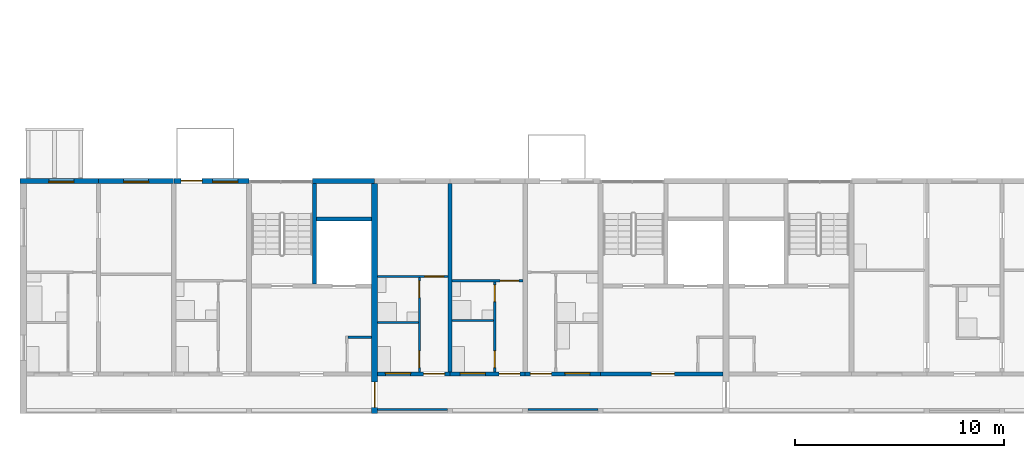
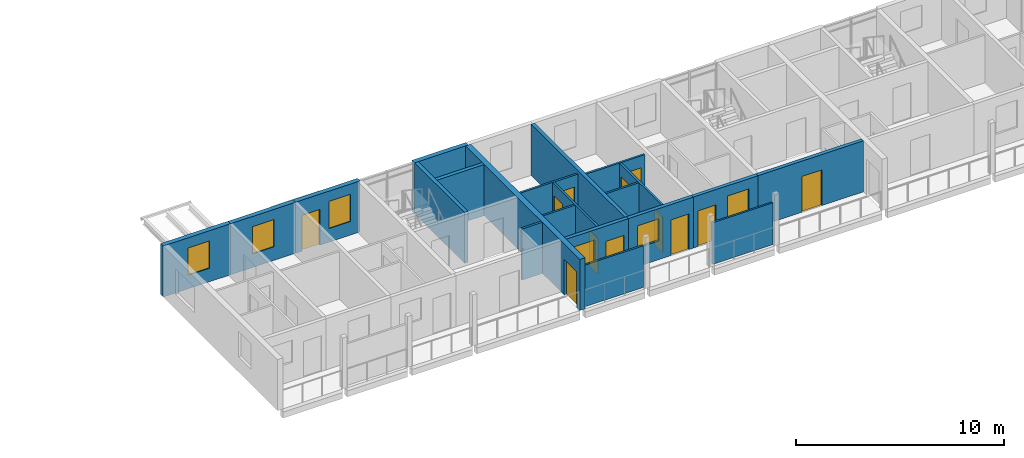
# One storey, part 30 of 94: 21 walls, 12 doors, 6 windows, 18 openings.
"""IFC4 building model written with IfcOpenShell, lengths in metres."""

from ifc_helpers import new_model, si_unit, direction, frame, frame_2d, origin, place, context, subcontext, project, spatial, rectangle, extrude, material, layer, layer_set, type_object, element, fill, save


model = new_model("IFC4")

# Units and contexts
model_context = context("Model", 3, precision=1e-05, world=origin(), true_north=direction((0.0, 1.0)))
body_context = subcontext(model_context, "Body", "Model", "MODEL_VIEW")
ifc_project = project(units=[si_unit("LENGTHUNIT", "METRE"), si_unit("AREAUNIT", "SQUARE_METRE"), si_unit("VOLUMEUNIT", "CUBIC_METRE"), si_unit("PLANEANGLEUNIT", "RADIAN"), si_unit("MASSUNIT", "GRAM", prefix="KILO")], contexts=[model_context])

# Site, building, storey
site_placement = place(None, origin())
site = spatial("IfcSite", under=ifc_project, at=site_placement, CompositionType="ELEMENT")
building_placement = place(site_placement, origin())
building = spatial("IfcBuilding", under=site, at=building_placement, Name="Ridgestep Commons", CompositionType="ELEMENT")
storey_placement = place(building_placement, frame((0.0, 0.0, 21.0)))
storey = spatial("IfcBuildingStorey", under=building, at=storey_placement, Name="L07", CompositionType="ELEMENT", Elevation=21.0)

# Wall, opening, door
ifc_material_1 = material(Name="Concrete C30/37", Category="concrete")
ifc_layer_1 = layer(ifc_material_1, 0.199951171875)
ifc_layer_set_1 = layer_set([ifc_layer_1], Name="Core south wall 200")
wall_type_1 = type_object("IfcWallType", Name="Core south wall 200", PredefinedType="SHEAR", material=ifc_layer_set_1)
wall_1_placement = place(storey_placement, frame((39.60009765625, 13.64990234375, 0.0), z_axis=(0.0, 0.0, 1.0), x_axis=(1.0, 0.0, 0.0)))
wall_1 = element("IfcWall", 1, at=wall_1_placement, inside=storey, type_object=wall_type_1, Name="Core south wall A2C L07", PredefinedType="SHEAR", context=body_context, shape_type="SweptSolid", body=[
    extrude(rectangle(XDim=5.849853515625, YDim=0.199951171875, at=frame_2d((2.9248046875, 0.0))), origin(), (0.0, 0.0, 1.0), 3.0),
])
opening_1_placement = place(wall_1_placement, frame((2.4375, 0.0, 0.0)))
opening_1 = element("IfcOpeningElement", 2, at=opening_1_placement, cuts=wall_1, Name="Opening A2C/07/1", PredefinedType="OPENING", context=body_context, shape_type="SweptSolid", body=[
    extrude(rectangle(XDim=1.10009765625, YDim=2.10009765625, at=frame_2d((0.550048828125, 1.050048828125))), frame((0.0, 0.10986328125, 0.0), z_axis=(0.0, -1.0, 0.0), x_axis=(1.0, 0.0, 0.0)), (0.0, 0.0, 1.0), 0.219970703125),
])
ifc_material_2 = material(Name="Steel fire door", Category="steel")
door_type_1 = type_object("IfcDoorType", Name="Lobby door 1100 x 2100 FD60", OperationType="NOTDEFINED", PredefinedType="DOOR", material=ifc_material_2)
door_1_placement = place(opening_1_placement, origin())
door_1 = element("IfcDoor", 3, at=door_1_placement, inside=storey, type_object=door_type_1, Name="Lobby door A2C/07/1", OperationType="SINGLE_SWING_LEFT", OverallHeight=2.10009765625, OverallWidth=1.10009765625, PredefinedType="DOOR", context=body_context, shape_type="SweptSolid", body=[
    extrude(rectangle(XDim=1.10009765625, YDim=2.10009765625, at=frame_2d((0.550048828125, 1.050048828125))), frame((0.0, 0.02490234375, 0.0), z_axis=(0.0, -1.0, 0.0), x_axis=(1.0, 0.0, 0.0)), (0.0, 0.0, 1.0), 0.050048828125),
])
fill(opening_1, door_1)

# Walls
ifc_material_3 = material(Name="Concrete C30/37", Category="concrete")
ifc_layer_2 = layer(ifc_material_3, 0.1201171875)
ifc_layer_set_2 = layer_set([ifc_layer_2], Name="Core wall 120")
wall_type_2 = type_object("IfcWallType", Name="Core wall 120", PredefinedType="SHEAR", material=ifc_layer_set_2)
wall_2_placement = place(storey_placement, frame((27.52001953125, 15.409912109375, 0.0), z_axis=(0.0, 0.0, 1.0), x_axis=(1.0, 0.0, 0.0)))
element("IfcWall", 4, at=wall_2_placement, inside=storey, type_object=wall_type_2, Name="Core riser n wall A1C L07", PredefinedType="SHEAR", context=body_context, shape_type="SweptSolid", body=[
    extrude(rectangle(XDim=1.1298828125, YDim=0.1201171875, at=frame_2d((0.56494140625, 0.0))), origin(), (0.0, 0.0, 1.0), 3.0),
])
ifc_material_4 = material(Name="Concrete C30/37", Category="concrete")
ifc_layer_3 = layer(ifc_material_4, 0.199951171875)
ifc_layer_set_3 = layer_set([ifc_layer_3], Name="Core wall 200")
wall_type_3 = type_object("IfcWallType", Name="Core wall 200", PredefinedType="SHEAR", material=ifc_layer_set_3)
wall_3_placement = place(storey_placement, frame((25.925048828125, 17.949951171875, 0.0), z_axis=(0.0, 0.0, 1.0), x_axis=(0.0, 1.0, 0.0)))
element("IfcWall", 5, at=wall_3_placement, inside=storey, type_object=wall_type_3, Name="Core stair wall A1C L07", PredefinedType="SHEAR", context=body_context, shape_type="SweptSolid", body=[
    extrude(rectangle(XDim=4.800048828125, YDim=0.199951171875, at=frame_2d((2.39990234375, 0.0))), origin(), (0.0, 0.0, 1.0), 3.0),
])
wall_4_placement = place(storey_placement, frame((26.02490234375, 21.050048828125, 0.0), z_axis=(0.0, 0.0, 1.0), x_axis=(1.0, 0.0, 0.0)))
element("IfcWall", 6, at=wall_4_placement, inside=storey, type_object=wall_type_3, Name="Core duct wall A1C L07", PredefinedType="SHEAR", context=body_context, shape_type="SweptSolid", body=[
    extrude(rectangle(XDim=2.625, YDim=0.199951171875, at=frame_2d((1.3125, 0.0))), origin(), (0.0, 0.0, 1.0), 3.0),
])
ifc_material_5 = material(Name="Precast concrete C40/50", Category="concrete")
ifc_layer_4 = layer(ifc_material_5, 0.199951171875)
ifc_layer_set_4 = layer_set([ifc_layer_4], Name="Cross wall 200")
wall_type_4 = type_object("IfcWallType", Name="Cross wall 200", PredefinedType="SHEAR", material=ifc_layer_set_4)
wall_5_placement = place(storey_placement, frame((32.39990234375, 13.75, 0.0), z_axis=(0.0, 0.0, 1.0), x_axis=(0.0, 1.0, 0.0)))
element("IfcWall", 7, at=wall_5_placement, inside=storey, type_object=wall_type_4, Name="Cross wall A-07-0324", PredefinedType="SHEAR", context=body_context, shape_type="SweptSolid", body=[
    extrude(rectangle(XDim=9.0, YDim=0.199951171875, at=frame_2d((4.5, 0.0))), origin(), (0.0, 0.0, 1.0), 3.0),
])

# Wall, opening, door
ifc_material_6 = material(Name="Precast concrete C40/50", Category="concrete")
ifc_layer_5 = layer(ifc_material_6, 0.300048828125)
ifc_layer_set_5 = layer_set([ifc_layer_5], Name="Division wall 300")
wall_type_5 = type_object("IfcWallType", Name="Division wall 300", PredefinedType="SHEAR", material=ifc_layer_set_5)
wall_6_placement = place(storey_placement, frame((28.800048828125, 11.75, 0.0), z_axis=(0.0, 0.0, 1.0), x_axis=(0.0, 1.0, 0.0)))
wall_6 = element("IfcWall", 8, at=wall_6_placement, inside=storey, type_object=wall_type_5, Name="Cross wall A-07-0288", PredefinedType="SHEAR", context=body_context, shape_type="SweptSolid", body=[
    extrude(rectangle(XDim=11.0, YDim=0.300048828125, at=frame_2d((5.5, 0.0))), origin(), (0.0, 0.0, 1.0), 3.0),
])
opening_2_placement = place(wall_6_placement, frame((0.300048828125, 0.0, 0.0)))
opening_2 = element("IfcOpeningElement", 9, at=opening_2_placement, cuts=wall_6, Name="Opening A/07/G0288", PredefinedType="OPENING", context=body_context, shape_type="SweptSolid", body=[
    extrude(rectangle(XDim=1.199951171875, YDim=2.10009765625, at=frame_2d((0.60009765625, 1.050048828125))), frame((0.0, 0.159912109375, 0.0), z_axis=(0.0, -1.0, 0.0), x_axis=(1.0, 0.0, 0.0)), (0.0, 0.0, 1.0), 0.320068359375),
])
ifc_material_7 = material(Name="Steel fire door", Category="steel")
door_type_2 = type_object("IfcDoorType", Name="Division fire door 1200 x 2100 EI 240", OperationType="DOUBLE_DOOR_SINGLE_SWING", PredefinedType="DOOR", material=ifc_material_7)
door_2_placement = place(opening_2_placement, origin())
door_2 = element("IfcDoor", 10, at=door_2_placement, inside=storey, type_object=door_type_2, Name="Division fire door A/07/G0288", OperationType="DOUBLE_DOOR_SINGLE_SWING", OverallHeight=2.10009765625, OverallWidth=1.199951171875, PredefinedType="DOOR", context=body_context, shape_type="SweptSolid", body=[
    extrude(rectangle(XDim=1.199951171875, YDim=2.10009765625, at=frame_2d((0.60009765625, 1.050048828125))), frame((0.0, 0.02490234375, 0.0), z_axis=(0.0, -1.0, 0.0), x_axis=(1.0, 0.0, 0.0)), (0.0, 0.0, 1.0), 0.050048828125),
])
fill(opening_2, door_2)

# Wall, opening, window
ifc_material_8 = material(Name="Precast concrete C40/50", Category="concrete")
ifc_layer_6 = layer(ifc_material_8, 0.25)
ifc_layer_set_6 = layer_set([ifc_layer_6], Name="North facade panel 250")
wall_type_6 = type_object("IfcWallType", Name="North facade panel 250", PredefinedType="SOLIDWALL", material=ifc_layer_set_6)
wall_7_placement = place(storey_placement, frame((11.85009765625, 22.875, 0.0), z_axis=(0.0, 0.0, 1.0), x_axis=(1.0, 0.0, 0.0)))
wall_7 = element("IfcWall", 11, at=wall_7_placement, inside=storey, type_object=wall_type_6, Name="North panel A1T1 L07", PredefinedType="SOLIDWALL", context=body_context, shape_type="SweptSolid", body=[
    extrude(rectangle(XDim=3.75, YDim=0.25, at=frame_2d((1.875, 0.0))), origin(), (0.0, 0.0, 1.0), 3.0),
])
opening_3_placement = place(wall_7_placement, frame((1.375, 0.0, 0.800048828125)))
opening_3 = element("IfcOpeningElement", 12, at=opening_3_placement, cuts=wall_7, Name="Opening W11", PredefinedType="OPENING", context=body_context, shape_type="SweptSolid", body=[
    extrude(rectangle(XDim=1.199951171875, YDim=1.60009765625, at=frame_2d((0.60009765625, 0.800048828125))), frame((0.0, 0.135009765625, 0.0), z_axis=(0.0, -1.0, 0.0), x_axis=(1.0, 0.0, 0.0)), (0.0, 0.0, 1.0), 0.27001953125),
])
ifc_material_9 = material(Name="Aluminium 6063-T6 and glass", Category="aluminium")
window_type_1 = type_object("IfcWindowType", Name="Flat window 1200 x 1600", PartitioningType="SINGLE_PANEL", PredefinedType="WINDOW", material=ifc_material_9)
window_1_placement = place(opening_3_placement, origin())
window_1 = element("IfcWindow", 13, at=window_1_placement, inside=storey, type_object=window_type_1, Name="Window A1-07a 4", OverallHeight=1.60009765625, OverallWidth=1.199951171875, PartitioningType="SINGLE_PANEL", PredefinedType="WINDOW", context=body_context, shape_type="SweptSolid", body=[
    extrude(rectangle(XDim=1.199951171875, YDim=1.60009765625, at=frame_2d((0.60009765625, 0.800048828125))), frame((0.0, -0.02490234375, 0.0), z_axis=(0.0, -1.0, 0.0), x_axis=(1.0, 0.0, 0.0)), (0.0, 0.0, 1.0), 0.06005859375),
])
fill(opening_3, window_1)

wall_8_placement = place(storey_placement, frame((15.60009765625, 22.875, 0.0), z_axis=(0.0, 0.0, 1.0), x_axis=(1.0, 0.0, 0.0)))
wall_8 = element("IfcWall", 14, at=wall_8_placement, inside=storey, type_object=wall_type_6, Name="North panel A1T2 L07", PredefinedType="SOLIDWALL", context=body_context, shape_type="SweptSolid", body=[
    extrude(rectangle(XDim=3.599853515625, YDim=0.25, at=frame_2d((1.7998046875, 0.0))), origin(), (0.0, 0.0, 1.0), 3.0),
])
opening_4_placement = place(wall_8_placement, frame((1.199951171875, 0.0, 0.800048828125)))
opening_4 = element("IfcOpeningElement", 15, at=opening_4_placement, cuts=wall_8, Name="Opening W11", PredefinedType="OPENING", context=body_context, shape_type="SweptSolid", body=[
    extrude(rectangle(XDim=1.199951171875, YDim=1.60009765625, at=frame_2d((0.60009765625, 0.800048828125))), frame((0.0, 0.135009765625, 0.0), z_axis=(0.0, -1.0, 0.0), x_axis=(1.0, 0.0, 0.0)), (0.0, 0.0, 1.0), 0.27001953125),
])
window_2_placement = place(opening_4_placement, origin())
window_2 = element("IfcWindow", 16, at=window_2_placement, inside=storey, type_object=window_type_1, Name="Window A1-07a 2", OverallHeight=1.60009765625, OverallWidth=1.199951171875, PartitioningType="SINGLE_PANEL", PredefinedType="WINDOW", context=body_context, shape_type="SweptSolid", body=[
    extrude(rectangle(XDim=1.199951171875, YDim=1.60009765625, at=frame_2d((0.60009765625, 0.800048828125))), frame((0.0, -0.02490234375, 0.0), z_axis=(0.0, -1.0, 0.0), x_axis=(1.0, 0.0, 0.0)), (0.0, 0.0, 1.0), 0.06005859375),
])
fill(opening_4, window_2)

# Wall, openings, door, window
wall_9_placement = place(storey_placement, frame((19.199951171875, 22.875, 0.0), z_axis=(0.0, 0.0, 1.0), x_axis=(1.0, 0.0, 0.0)))
wall_9 = element("IfcWall", 17, at=wall_9_placement, inside=storey, type_object=wall_type_6, Name="North panel A1T3 L07", PredefinedType="SOLIDWALL", context=body_context, shape_type="SweptSolid", body=[
    extrude(rectangle(XDim=3.60009765625, YDim=0.25, at=frame_2d((1.800048828125, 0.0))), origin(), (0.0, 0.0, 1.0), 3.0),
])
opening_5_placement = place(wall_9_placement, frame((1.864013671875, 0.0, 0.800048828125)))
opening_5 = element("IfcOpeningElement", 18, at=opening_5_placement, cuts=wall_9, Name="Opening W11", PredefinedType="OPENING", context=body_context, shape_type="SweptSolid", body=[
    extrude(rectangle(XDim=1.199951171875, YDim=1.60009765625, at=frame_2d((0.60009765625, 0.800048828125))), frame((0.0, 0.135009765625, 0.0), z_axis=(0.0, -1.0, 0.0), x_axis=(1.0, 0.0, 0.0)), (0.0, 0.0, 1.0), 0.27001953125),
])
opening_6_placement = place(wall_9_placement, frame((0.35302734375, 0.0, 0.0)))
opening_6 = element("IfcOpeningElement", 19, at=opening_6_placement, cuts=wall_9, Name="Opening A1-07b/5", PredefinedType="OPENING", context=body_context, shape_type="SweptSolid", body=[
    extrude(rectangle(XDim=1.0, YDim=2.10009765625, at=frame_2d((0.5, 1.050048828125))), frame((0.0, 0.135009765625, 0.0), z_axis=(0.0, -1.0, 0.0), x_axis=(1.0, 0.0, 0.0)), (0.0, 0.0, 1.0), 0.27001953125),
])
ifc_material_10 = material(Name="Aluminium and glass", Category="aluminium")
door_type_3 = type_object("IfcDoorType", Name="Balcony door 1000 x 2100", OperationType="NOTDEFINED", PredefinedType="DOOR", material=ifc_material_10)
door_3_placement = place(opening_6_placement, origin())
door_3 = element("IfcDoor", 20, at=door_3_placement, inside=storey, type_object=door_type_3, Name="Balcony door A1-07b/5", OperationType="SINGLE_SWING_RIGHT", OverallHeight=2.10009765625, OverallWidth=1.0, PredefinedType="DOOR", context=body_context, shape_type="SweptSolid", body=[
    extrude(rectangle(XDim=1.0, YDim=2.10009765625, at=frame_2d((0.5, 1.050048828125))), frame((0.0, 0.02490234375, 0.0), z_axis=(0.0, -1.0, 0.0), x_axis=(1.0, 0.0, 0.0)), (0.0, 0.0, 1.0), 0.050048828125),
])
fill(opening_6, door_3)
window_3_placement = place(opening_5_placement, origin())
window_3 = element("IfcWindow", 21, at=window_3_placement, inside=storey, type_object=window_type_1, Name="Window A1-07b 2", OverallHeight=1.60009765625, OverallWidth=1.199951171875, PartitioningType="SINGLE_PANEL", PredefinedType="WINDOW", context=body_context, shape_type="SweptSolid", body=[
    extrude(rectangle(XDim=1.199951171875, YDim=1.60009765625, at=frame_2d((0.60009765625, 0.800048828125))), frame((0.0, -0.02490234375, 0.0), z_axis=(0.0, -1.0, 0.0), x_axis=(1.0, 0.0, 0.0)), (0.0, 0.0, 1.0), 0.06005859375),
])
fill(opening_5, window_3)

# Walls
wall_10_placement = place(storey_placement, frame((25.824951171875, 22.875, 0.0), z_axis=(0.0, 0.0, 1.0), x_axis=(1.0, 0.0, 0.0)))
element("IfcWall", 22, at=wall_10_placement, inside=storey, type_object=wall_type_6, Name="North panel A1C L07", PredefinedType="SOLIDWALL", context=body_context, shape_type="SweptSolid", body=[
    extrude(rectangle(XDim=2.97509765625, YDim=0.25, at=frame_2d((1.487548828125, 0.0))), origin(), (0.0, 0.0, 1.0), 3.0),
])
ifc_material_11 = material(Name="Common brick 110 mm", Category="masonry")
ifc_layer_7 = layer(ifc_material_11, 0.110107421875)
ifc_layer_set_7 = layer_set([ifc_layer_7], Name="Partition 110")
wall_type_7 = type_object("IfcWallType", Name="Partition 110", PredefinedType="PARTITIONING", material=ifc_layer_set_7)
wall_11_placement = place(storey_placement, frame((28.949951171875, 16.10498046875, 0.0), z_axis=(0.0, 0.0, 1.0), x_axis=(1.0, 0.0, 0.0)))
element("IfcWall", 23, at=wall_11_placement, inside=storey, type_object=wall_type_7, Name="Partition A2-07a", PredefinedType="PARTITIONING", context=body_context, shape_type="SweptSolid", body=[
    extrude(rectangle(XDim=1.93994140625, YDim=0.110107421875, at=frame_2d((0.969970703125, 0.0))), origin(), (0.0, 0.0, 1.0), 2.800048828125),
])

# Wall, openings, doors
wall_12_placement = place(storey_placement, frame((30.945068359375, 13.75, 0.0), z_axis=(0.0, 0.0, 1.0), x_axis=(0.0, 1.0, 0.0)))
wall_12 = element("IfcWall", 24, at=wall_12_placement, inside=storey, type_object=wall_type_7, Name="Partition A2-07a", PredefinedType="PARTITIONING", context=body_context, shape_type="SweptSolid", body=[
    extrude(rectangle(XDim=4.5, YDim=0.110107421875, at=frame_2d((2.25, 0.0))), origin(), (0.0, 0.0, 1.0), 2.800048828125),
])
opening_7_placement = place(wall_12_placement, frame((0.199951171875, 0.0, 0.0)))
opening_7 = element("IfcOpeningElement", 25, at=opening_7_placement, cuts=wall_12, Name="Opening A2-07a/2", PredefinedType="OPENING", context=body_context, shape_type="SweptSolid", body=[
    extrude(rectangle(XDim=0.800048828125, YDim=2.10009765625, at=frame_2d((0.39990234375, 1.050048828125))), frame((0.0, 0.06494140625, 0.0), z_axis=(0.0, -1.0, 0.0), x_axis=(1.0, 0.0, 0.0)), (0.0, 0.0, 1.0), 0.130126953125),
])
opening_8_placement = place(wall_12_placement, frame((3.550048828125, 0.0, 0.0)))
opening_8 = element("IfcOpeningElement", 26, at=opening_8_placement, cuts=wall_12, Name="Opening A2-07a/3", PredefinedType="OPENING", context=body_context, shape_type="SweptSolid", body=[
    extrude(rectangle(XDim=0.800048828125, YDim=2.10009765625, at=frame_2d((0.39990234375, 1.050048828125))), frame((0.0, 0.06494140625, 0.0), z_axis=(0.0, -1.0, 0.0), x_axis=(1.0, 0.0, 0.0)), (0.0, 0.0, 1.0), 0.130126953125),
])
ifc_material_12 = material(Name="Timber door leaf", Category="wood")
door_type_4 = type_object("IfcDoorType", Name="Internal door 800 x 2100", OperationType="NOTDEFINED", PredefinedType="DOOR", material=ifc_material_12)
door_4_placement = place(opening_7_placement, origin())
door_4 = element("IfcDoor", 27, at=door_4_placement, inside=storey, type_object=door_type_4, Name="Internal door A2-07a/2", OperationType="SINGLE_SWING_LEFT", OverallHeight=2.10009765625, OverallWidth=0.800048828125, PredefinedType="DOOR", context=body_context, shape_type="SweptSolid", body=[
    extrude(rectangle(XDim=0.800048828125, YDim=2.10009765625, at=frame_2d((0.39990234375, 1.050048828125))), frame((0.0, 0.02490234375, 0.0), z_axis=(0.0, -1.0, 0.0), x_axis=(1.0, 0.0, 0.0)), (0.0, 0.0, 1.0), 0.050048828125),
])
fill(opening_7, door_4)
door_5_placement = place(opening_8_placement, origin())
door_5 = element("IfcDoor", 28, at=door_5_placement, inside=storey, type_object=door_type_4, Name="Internal door A2-07a/3", OperationType="SINGLE_SWING_RIGHT", OverallHeight=2.10009765625, OverallWidth=0.800048828125, PredefinedType="DOOR", context=body_context, shape_type="SweptSolid", body=[
    extrude(rectangle(XDim=0.800048828125, YDim=2.10009765625, at=frame_2d((0.39990234375, 1.050048828125))), frame((0.0, 0.02490234375, 0.0), z_axis=(0.0, -1.0, 0.0), x_axis=(1.0, 0.0, 0.0)), (0.0, 0.0, 1.0), 0.050048828125),
])
fill(opening_8, door_5)

# Wall, opening, door
wall_13_placement = place(storey_placement, frame((28.949951171875, 18.304931640625, 0.0), z_axis=(0.0, 0.0, 1.0), x_axis=(1.0, 0.0, 0.0)))
wall_13 = element("IfcWall", 29, at=wall_13_placement, inside=storey, type_object=wall_type_7, Name="Partition A2-07a", PredefinedType="PARTITIONING", context=body_context, shape_type="SweptSolid", body=[
    extrude(rectangle(XDim=3.35009765625, YDim=0.110107421875, at=frame_2d((1.675048828125, 0.0))), origin(), (0.0, 0.0, 1.0), 2.800048828125),
])
opening_9_placement = place(wall_13_placement, frame((2.25, 0.0, 0.0)))
opening_9 = element("IfcOpeningElement", 30, at=opening_9_placement, cuts=wall_13, Name="Opening A2-07a/4", PredefinedType="OPENING", context=body_context, shape_type="SweptSolid", body=[
    extrude(rectangle(XDim=0.89990234375, YDim=2.10009765625, at=frame_2d((0.449951171875, 1.050048828125))), frame((0.0, 0.06494140625, 0.0), z_axis=(0.0, -1.0, 0.0), x_axis=(1.0, 0.0, 0.0)), (0.0, 0.0, 1.0), 0.130126953125),
])
ifc_material_13 = material(Name="Timber door leaf", Category="wood")
door_type_5 = type_object("IfcDoorType", Name="Internal door 900 x 2100", OperationType="NOTDEFINED", PredefinedType="DOOR", material=ifc_material_13)
door_6_placement = place(opening_9_placement, origin())
door_6 = element("IfcDoor", 31, at=door_6_placement, inside=storey, type_object=door_type_5, Name="Internal door A2-07a/4", OperationType="SINGLE_SWING_RIGHT", OverallHeight=2.10009765625, OverallWidth=0.89990234375, PredefinedType="DOOR", context=body_context, shape_type="SweptSolid", body=[
    extrude(rectangle(XDim=0.89990234375, YDim=2.10009765625, at=frame_2d((0.449951171875, 1.050048828125))), frame((0.0, 0.02490234375, 0.0), z_axis=(0.0, -1.0, 0.0), x_axis=(1.0, 0.0, 0.0)), (0.0, 0.0, 1.0), 0.050048828125),
])
fill(opening_9, door_6)

# Wall
wall_14_placement = place(storey_placement, frame((32.5, 16.205078125, 0.0), z_axis=(0.0, 0.0, 1.0), x_axis=(1.0, 0.0, 0.0)))
element("IfcWall", 32, at=wall_14_placement, inside=storey, type_object=wall_type_7, Name="Partition A2-07b", PredefinedType="PARTITIONING", context=body_context, shape_type="SweptSolid", body=[
    extrude(rectangle(XDim=1.989990234375, YDim=0.110107421875, at=frame_2d((0.9951171875, 0.0))), origin(), (0.0, 0.0, 1.0), 2.800048828125),
])

# Wall, openings, doors
wall_15_placement = place(storey_placement, frame((34.544921875, 13.75, 0.0), z_axis=(0.0, 0.0, 1.0), x_axis=(0.0, 1.0, 0.0)))
wall_15 = element("IfcWall", 33, at=wall_15_placement, inside=storey, type_object=wall_type_7, Name="Partition A2-07b", PredefinedType="PARTITIONING", context=body_context, shape_type="SweptSolid", body=[
    extrude(rectangle(XDim=4.300048828125, YDim=0.110107421875, at=frame_2d((2.14990234375, 0.0))), origin(), (0.0, 0.0, 1.0), 2.800048828125),
])
opening_10_placement = place(wall_15_placement, frame((0.199951171875, 0.0, 0.0)))
opening_10 = element("IfcOpeningElement", 34, at=opening_10_placement, cuts=wall_15, Name="Opening A2-07b/2", PredefinedType="OPENING", context=body_context, shape_type="SweptSolid", body=[
    extrude(rectangle(XDim=0.800048828125, YDim=2.10009765625, at=frame_2d((0.39990234375, 1.050048828125))), frame((0.0, 0.06494140625, 0.0), z_axis=(0.0, -1.0, 0.0), x_axis=(1.0, 0.0, 0.0)), (0.0, 0.0, 1.0), 0.130126953125),
])
opening_11_placement = place(wall_15_placement, frame((3.35009765625, 0.0, 0.0)))
opening_11 = element("IfcOpeningElement", 35, at=opening_11_placement, cuts=wall_15, Name="Opening A2-07b/3", PredefinedType="OPENING", context=body_context, shape_type="SweptSolid", body=[
    extrude(rectangle(XDim=0.800048828125, YDim=2.10009765625, at=frame_2d((0.39990234375, 1.050048828125))), frame((0.0, 0.06494140625, 0.0), z_axis=(0.0, -1.0, 0.0), x_axis=(1.0, 0.0, 0.0)), (0.0, 0.0, 1.0), 0.130126953125),
])
door_7_placement = place(opening_10_placement, origin())
door_7 = element("IfcDoor", 36, at=door_7_placement, inside=storey, type_object=door_type_4, Name="Internal door A2-07b/2", OperationType="SINGLE_SWING_LEFT", OverallHeight=2.10009765625, OverallWidth=0.800048828125, PredefinedType="DOOR", context=body_context, shape_type="SweptSolid", body=[
    extrude(rectangle(XDim=0.800048828125, YDim=2.10009765625, at=frame_2d((0.39990234375, 1.050048828125))), frame((0.0, 0.02490234375, 0.0), z_axis=(0.0, -1.0, 0.0), x_axis=(1.0, 0.0, 0.0)), (0.0, 0.0, 1.0), 0.050048828125),
])
fill(opening_10, door_7)
door_8_placement = place(opening_11_placement, origin())
door_8 = element("IfcDoor", 37, at=door_8_placement, inside=storey, type_object=door_type_4, Name="Internal door A2-07b/3", OperationType="SINGLE_SWING_RIGHT", OverallHeight=2.10009765625, OverallWidth=0.800048828125, PredefinedType="DOOR", context=body_context, shape_type="SweptSolid", body=[
    extrude(rectangle(XDim=0.800048828125, YDim=2.10009765625, at=frame_2d((0.39990234375, 1.050048828125))), frame((0.0, 0.02490234375, 0.0), z_axis=(0.0, -1.0, 0.0), x_axis=(1.0, 0.0, 0.0)), (0.0, 0.0, 1.0), 0.050048828125),
])
fill(opening_11, door_8)

# Wall, opening, door
wall_16_placement = place(storey_placement, frame((32.5, 18.10498046875, 0.0), z_axis=(0.0, 0.0, 1.0), x_axis=(1.0, 0.0, 0.0)))
wall_16 = element("IfcWall", 38, at=wall_16_placement, inside=storey, type_object=wall_type_7, Name="Partition A2-07b", PredefinedType="PARTITIONING", context=body_context, shape_type="SweptSolid", body=[
    extrude(rectangle(XDim=3.39990234375, YDim=0.110107421875, at=frame_2d((1.699951171875, 0.0))), origin(), (0.0, 0.0, 1.0), 2.800048828125),
])
opening_12_placement = place(wall_16_placement, frame((2.300048828125, 0.0, 0.0)))
opening_12 = element("IfcOpeningElement", 39, at=opening_12_placement, cuts=wall_16, Name="Opening A2-07b/4", PredefinedType="OPENING", context=body_context, shape_type="SweptSolid", body=[
    extrude(rectangle(XDim=0.89990234375, YDim=2.10009765625, at=frame_2d((0.449951171875, 1.050048828125))), frame((0.0, 0.06494140625, 0.0), z_axis=(0.0, -1.0, 0.0), x_axis=(1.0, 0.0, 0.0)), (0.0, 0.0, 1.0), 0.130126953125),
])
door_9_placement = place(opening_12_placement, origin())
door_9 = element("IfcDoor", 40, at=door_9_placement, inside=storey, type_object=door_type_5, Name="Internal door A2-07b/4", OperationType="SINGLE_SWING_LEFT", OverallHeight=2.10009765625, OverallWidth=0.89990234375, PredefinedType="DOOR", context=body_context, shape_type="SweptSolid", body=[
    extrude(rectangle(XDim=0.89990234375, YDim=2.10009765625, at=frame_2d((0.449951171875, 1.050048828125))), frame((0.0, 0.02490234375, 0.0), z_axis=(0.0, -1.0, 0.0), x_axis=(1.0, 0.0, 0.0)), (0.0, 0.0, 1.0), 0.050048828125),
])
fill(opening_12, door_9)

# Walls
ifc_material_14 = material(Name="Precast concrete C30/37", Category="concrete")
ifc_layer_8 = layer(ifc_material_14, 0.10009765625)
ifc_layer_set_8 = layer_set([ifc_layer_8], Name="Perforated gallery screen 3325 x 2450 x 100")
wall_type_8 = type_object("IfcWallType", Name="Perforated gallery screen 3325 x 2450 x 100", PredefinedType="SOLIDWALL", material=ifc_layer_set_8)
wall_17_placement = place(storey_placement, frame((28.949951171875, 11.949951171875, 0.0), z_axis=(0.0, 0.0, 1.0), x_axis=(1.0, 0.0, 0.0)))
element("IfcWall", 41, at=wall_17_placement, inside=storey, type_object=wall_type_8, Name="Gallery screen A2T1 07", PredefinedType="SOLIDWALL", context=body_context, shape_type="SweptSolid", body=[
    extrude(rectangle(XDim=3.324951171875, YDim=0.10009765625, at=frame_2d((1.66259765625, 0.0))), origin(), (0.0, 0.0, 1.0), 2.449951171875),
])
ifc_material_15 = material(Name="Precast concrete C30/37", Category="concrete")
ifc_layer_9 = layer(ifc_material_15, 0.10009765625)
ifc_layer_set_9 = layer_set([ifc_layer_9], Name="Perforated gallery screen 3350 x 2450 x 100")
wall_type_9 = type_object("IfcWallType", Name="Perforated gallery screen 3350 x 2450 x 100", PredefinedType="SOLIDWALL", material=ifc_layer_set_9)
wall_18_placement = place(storey_placement, frame((36.125, 11.949951171875, 0.0), z_axis=(0.0, 0.0, 1.0), x_axis=(1.0, 0.0, 0.0)))
element("IfcWall", 42, at=wall_18_placement, inside=storey, type_object=wall_type_9, Name="Gallery screen A2T3 07", PredefinedType="SOLIDWALL", context=body_context, shape_type="SweptSolid", body=[
    extrude(rectangle(XDim=3.35009765625, YDim=0.10009765625, at=frame_2d((1.675048828125, 0.0))), origin(), (0.0, 0.0, 1.0), 2.449951171875),
])

# Wall, openings, door, window
ifc_material_16 = material(Name="Precast concrete C40/50", Category="concrete")
ifc_layer_10 = layer(ifc_material_16, 0.199951171875)
ifc_layer_set_10 = layer_set([ifc_layer_10], Name="South facade panel 200")
wall_type_10 = type_object("IfcWallType", Name="South facade panel 200", PredefinedType="SOLIDWALL", material=ifc_layer_set_10)
wall_19_placement = place(storey_placement, frame((28.949951171875, 13.64990234375, 0.0), z_axis=(0.0, 0.0, 1.0), x_axis=(1.0, 0.0, 0.0)))
wall_19 = element("IfcWall", 43, at=wall_19_placement, inside=storey, type_object=wall_type_10, Name="South panel A2T1 L07", PredefinedType="SOLIDWALL", context=body_context, shape_type="SweptSolid", body=[
    extrude(rectangle(XDim=3.449951171875, YDim=0.199951171875, at=frame_2d((1.72509765625, 0.0))), origin(), (0.0, 0.0, 1.0), 3.0),
])
opening_13_placement = place(wall_19_placement, frame((0.3701171875, 0.0, 1.10009765625)))
opening_13 = element("IfcOpeningElement", 44, at=opening_13_placement, cuts=wall_19, Name="Opening W08", PredefinedType="OPENING", context=body_context, shape_type="SweptSolid", body=[
    extrude(rectangle(XDim=1.199951171875, YDim=1.300048828125, at=frame_2d((0.60009765625, 0.64990234375))), frame((0.0, 0.10986328125, 0.0), z_axis=(0.0, -1.0, 0.0), x_axis=(1.0, 0.0, 0.0)), (0.0, 0.0, 1.0), 0.219970703125),
])
opening_14_placement = place(wall_19_placement, frame((2.199951171875, 0.0, 0.0)))
opening_14 = element("IfcOpeningElement", 45, at=opening_14_placement, cuts=wall_19, Name="Opening A2-07a/1", PredefinedType="OPENING", context=body_context, shape_type="SweptSolid", body=[
    extrude(rectangle(XDim=1.0, YDim=2.10009765625, at=frame_2d((0.5, 1.050048828125))), frame((0.0, 0.10986328125, 0.0), z_axis=(0.0, -1.0, 0.0), x_axis=(1.0, 0.0, 0.0)), (0.0, 0.0, 1.0), 0.219970703125),
])
ifc_material_17 = material(Name="Timber door leaf", Category="wood")
door_type_6 = type_object("IfcDoorType", Name="Flat entrance door 1000 x 2100 FD30S", OperationType="NOTDEFINED", PredefinedType="DOOR", material=ifc_material_17)
door_10_placement = place(opening_14_placement, origin())
door_10 = element("IfcDoor", 46, at=door_10_placement, inside=storey, type_object=door_type_6, Name="Flat entrance door A2-07a/1", OperationType="SINGLE_SWING_RIGHT", OverallHeight=2.10009765625, OverallWidth=1.0, PredefinedType="DOOR", context=body_context, shape_type="SweptSolid", body=[
    extrude(rectangle(XDim=1.0, YDim=2.10009765625, at=frame_2d((0.5, 1.050048828125))), frame((0.0, 0.02490234375, 0.0), z_axis=(0.0, -1.0, 0.0), x_axis=(1.0, 0.0, 0.0)), (0.0, 0.0, 1.0), 0.050048828125),
])
fill(opening_14, door_10)
ifc_material_18 = material(Name="Aluminium 6063-T6 and glass", Category="aluminium")
window_type_2 = type_object("IfcWindowType", Name="Flat window 1200 x 1300", PartitioningType="SINGLE_PANEL", PredefinedType="WINDOW", material=ifc_material_18)
window_4_placement = place(opening_13_placement, origin())
window_4 = element("IfcWindow", 47, at=window_4_placement, inside=storey, type_object=window_type_2, Name="Window A2-07a 1", OverallHeight=1.300048828125, OverallWidth=1.199951171875, PartitioningType="SINGLE_PANEL", PredefinedType="WINDOW", context=body_context, shape_type="SweptSolid", body=[
    extrude(rectangle(XDim=1.199951171875, YDim=1.300048828125, at=frame_2d((0.60009765625, 0.64990234375))), frame((0.0, 0.06005859375, 0.0), z_axis=(0.0, -1.0, 0.0), x_axis=(1.0, 0.0, 0.0)), (0.0, 0.0, 1.0), 0.06005859375),
])
fill(opening_13, window_4)

wall_20_placement = place(storey_placement, frame((32.39990234375, 13.64990234375, 0.0), z_axis=(0.0, 0.0, 1.0), x_axis=(1.0, 0.0, 0.0)))
wall_20 = element("IfcWall", 48, at=wall_20_placement, inside=storey, type_object=wall_type_10, Name="South panel A2T2 L07", PredefinedType="SOLIDWALL", context=body_context, shape_type="SweptSolid", body=[
    extrude(rectangle(XDim=3.60009765625, YDim=0.199951171875, at=frame_2d((1.800048828125, 0.0))), origin(), (0.0, 0.0, 1.0), 3.0),
])
opening_15_placement = place(wall_20_placement, frame((0.4951171875, 0.0, 1.10009765625)))
opening_15 = element("IfcOpeningElement", 49, at=opening_15_placement, cuts=wall_20, Name="Opening W08", PredefinedType="OPENING", context=body_context, shape_type="SweptSolid", body=[
    extrude(rectangle(XDim=1.199951171875, YDim=1.300048828125, at=frame_2d((0.60009765625, 0.64990234375))), frame((0.0, 0.10986328125, 0.0), z_axis=(0.0, -1.0, 0.0), x_axis=(1.0, 0.0, 0.0)), (0.0, 0.0, 1.0), 0.219970703125),
])
opening_16_placement = place(wall_20_placement, frame((2.35009765625, 0.0, 0.0)))
opening_16 = element("IfcOpeningElement", 50, at=opening_16_placement, cuts=wall_20, Name="Opening A2-07b/1", PredefinedType="OPENING", context=body_context, shape_type="SweptSolid", body=[
    extrude(rectangle(XDim=1.0, YDim=2.10009765625, at=frame_2d((0.5, 1.050048828125))), frame((0.0, 0.10986328125, 0.0), z_axis=(0.0, -1.0, 0.0), x_axis=(1.0, 0.0, 0.0)), (0.0, 0.0, 1.0), 0.219970703125),
])
door_11_placement = place(opening_16_placement, origin())
door_11 = element("IfcDoor", 51, at=door_11_placement, inside=storey, type_object=door_type_6, Name="Flat entrance door A2-07b/1", OperationType="SINGLE_SWING_RIGHT", OverallHeight=2.10009765625, OverallWidth=1.0, PredefinedType="DOOR", context=body_context, shape_type="SweptSolid", body=[
    extrude(rectangle(XDim=1.0, YDim=2.10009765625, at=frame_2d((0.5, 1.050048828125))), frame((0.0, 0.02490234375, 0.0), z_axis=(0.0, -1.0, 0.0), x_axis=(1.0, 0.0, 0.0)), (0.0, 0.0, 1.0), 0.050048828125),
])
fill(opening_16, door_11)
window_5_placement = place(opening_15_placement, origin())
window_5 = element("IfcWindow", 52, at=window_5_placement, inside=storey, type_object=window_type_2, Name="Window A2-07b 1", OverallHeight=1.300048828125, OverallWidth=1.199951171875, PartitioningType="SINGLE_PANEL", PredefinedType="WINDOW", context=body_context, shape_type="SweptSolid", body=[
    extrude(rectangle(XDim=1.199951171875, YDim=1.300048828125, at=frame_2d((0.60009765625, 0.64990234375))), frame((0.0, 0.06005859375, 0.0), z_axis=(0.0, -1.0, 0.0), x_axis=(1.0, 0.0, 0.0)), (0.0, 0.0, 1.0), 0.06005859375),
])
fill(opening_15, window_5)

wall_21_placement = place(storey_placement, frame((36.0, 13.64990234375, 0.0), z_axis=(0.0, 0.0, 1.0), x_axis=(1.0, 0.0, 0.0)))
wall_21 = element("IfcWall", 53, at=wall_21_placement, inside=storey, type_object=wall_type_10, Name="South panel A2T3 L07", PredefinedType="SOLIDWALL", context=body_context, shape_type="SweptSolid", body=[
    extrude(rectangle(XDim=3.60009765625, YDim=0.199951171875, at=frame_2d((1.800048828125, 0.0))), origin(), (0.0, 0.0, 1.0), 3.0),
])
opening_17_placement = place(wall_21_placement, frame((1.892578125, 0.0, 1.10009765625)))
opening_17 = element("IfcOpeningElement", 54, at=opening_17_placement, cuts=wall_21, Name="Opening W08", PredefinedType="OPENING", context=body_context, shape_type="SweptSolid", body=[
    extrude(rectangle(XDim=1.199951171875, YDim=1.300048828125, at=frame_2d((0.60009765625, 0.64990234375))), frame((0.0, 0.10986328125, 0.0), z_axis=(0.0, -1.0, 0.0), x_axis=(1.0, 0.0, 0.0)), (0.0, 0.0, 1.0), 0.219970703125),
])
opening_18_placement = place(wall_21_placement, frame((0.25, 0.0, 0.0)))
opening_18 = element("IfcOpeningElement", 55, at=opening_18_placement, cuts=wall_21, Name="Opening A2-07c/1", PredefinedType="OPENING", context=body_context, shape_type="SweptSolid", body=[
    extrude(rectangle(XDim=1.0, YDim=2.10009765625, at=frame_2d((0.5, 1.050048828125))), frame((0.0, 0.10986328125, 0.0), z_axis=(0.0, -1.0, 0.0), x_axis=(1.0, 0.0, 0.0)), (0.0, 0.0, 1.0), 0.219970703125),
])
door_12_placement = place(opening_18_placement, origin())
door_12 = element("IfcDoor", 56, at=door_12_placement, inside=storey, type_object=door_type_6, Name="Flat entrance door A2-07c/1", OperationType="SINGLE_SWING_LEFT", OverallHeight=2.10009765625, OverallWidth=1.0, PredefinedType="DOOR", context=body_context, shape_type="SweptSolid", body=[
    extrude(rectangle(XDim=1.0, YDim=2.10009765625, at=frame_2d((0.5, 1.050048828125))), frame((0.0, 0.02490234375, 0.0), z_axis=(0.0, -1.0, 0.0), x_axis=(1.0, 0.0, 0.0)), (0.0, 0.0, 1.0), 0.050048828125),
])
fill(opening_18, door_12)
window_6_placement = place(opening_17_placement, origin())
window_6 = element("IfcWindow", 57, at=window_6_placement, inside=storey, type_object=window_type_2, Name="Window A2-07c 1", OverallHeight=1.300048828125, OverallWidth=1.199951171875, PartitioningType="SINGLE_PANEL", PredefinedType="WINDOW", context=body_context, shape_type="SweptSolid", body=[
    extrude(rectangle(XDim=1.199951171875, YDim=1.300048828125, at=frame_2d((0.60009765625, 0.64990234375))), frame((0.0, 0.06005859375, 0.0), z_axis=(0.0, -1.0, 0.0), x_axis=(1.0, 0.0, 0.0)), (0.0, 0.0, 1.0), 0.06005859375),
])
fill(opening_17, window_6)

save(model, "model.ifc")
